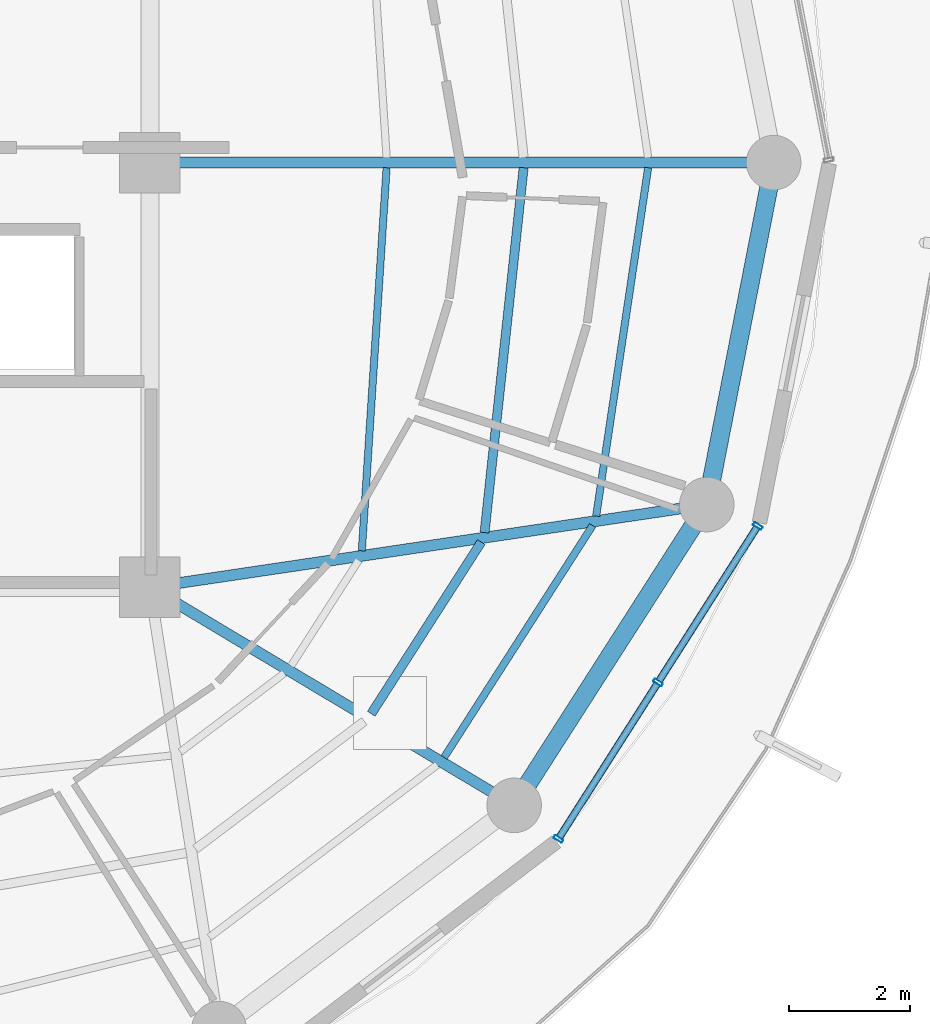
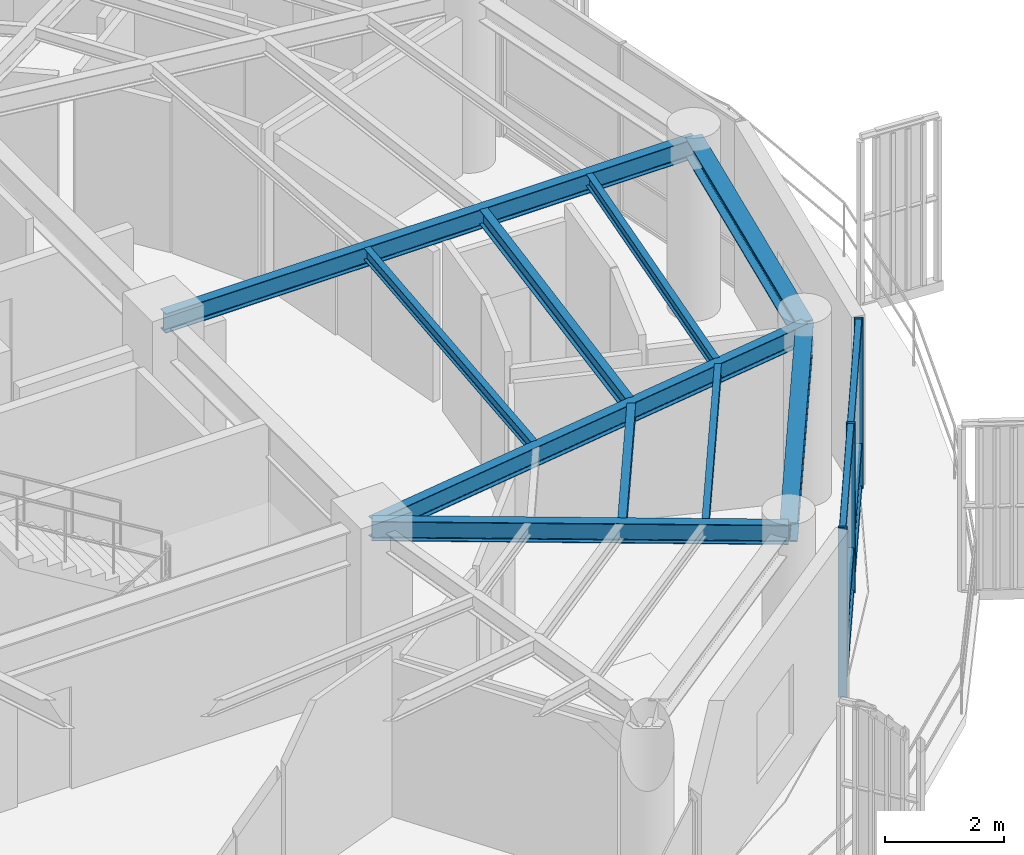
# One storey, part 9 of 22: 10 beams, 9 members, 1 element without a shape of its own.
"""IFC4 building model written with IfcOpenShell, lengths in metres."""

from ifc_helpers import new_model, si_unit, direction, frame, origin, origin_2d, place, context, subcontext, project, spatial, hollow_rectangle, i_section, extrude, material, layer, layer_set, material_profile, profile_set, type_object, element, aggregate, save


model = new_model("IFC4")

# Units and contexts
model_context = context("Model", 3, precision=1e-05, world=origin(), true_north=direction((0.0, 1.0)))
body_context = subcontext(model_context, "Body", "Model", "MODEL_VIEW")
ifc_project = project(units=[si_unit("LENGTHUNIT", "METRE"), si_unit("AREAUNIT", "SQUARE_METRE"), si_unit("VOLUMEUNIT", "CUBIC_METRE"), si_unit("PLANEANGLEUNIT", "RADIAN"), si_unit("MASSUNIT", "GRAM", prefix="KILO")], contexts=[model_context])

# Site, building, storey
site_placement = place(None, origin())
site = spatial("IfcSite", under=ifc_project, at=site_placement, CompositionType="ELEMENT")
building_placement = place(site_placement, origin())
building = spatial("IfcBuilding", under=site, at=building_placement, Name="Kelanora Arch Commons", CompositionType="ELEMENT")
storey_placement = place(building_placement, frame((0.0, 0.0, 263.699951171875)))
storey = spatial("IfcBuildingStorey", under=building, at=storey_placement, Name="L67", CompositionType="ELEMENT", Elevation=263.699951171875)

# Beams
ifc_material_1 = material(Name="Steel S355", Category="steel")
ifc_material_profile_1 = material_profile(ifc_material_1, i_section(OverallWidth=0.14990234375, OverallDepth=0.300048828125, WebThickness=0.007080078125, FlangeThickness=0.0107421875, FilletRadius=0.014892578125, at=origin_2d()), Name="IPE300")
ifc_profile_set_1 = profile_set([ifc_material_profile_1], Name="Steel S355")
beam_type_1 = type_object("IfcBeamType", Name="BM-JST-01", PredefinedType="JOIST", material=ifc_profile_set_1)
beam_1_placement = place(storey_placement, frame((85.647705078125, 48.915771484375, 3.340087890625), z_axis=(0.539321586177, 0.842099891155, 0.0), x_axis=(-0.842099891155, 0.539321586177, 0.0)))
element("IfcBeam", 1, at=beam_1_placement, inside=storey, type_object=beam_type_1, Name="Secondary Chord Joist BJB-32 L67", PredefinedType="JOIST", context=body_context, shape_type="SweptSolid", body=[
    extrude(i_section(OverallWidth=0.14990234375, OverallDepth=0.300048828125, WebThickness=0.007080078125, FlangeThickness=0.0107421875, FilletRadius=0.014892578125, at=origin_2d()), origin(), (0.0, 0.0, 1.0), 3.361572265625),
])
beam_2_placement = place(storey_placement, frame((87.515625, 51.902587890625, 3.340087890625), z_axis=(0.106380594087, 0.994325484538, 0.0), x_axis=(-0.994325484538, 0.106380594087, 0.0)))
element("IfcBeam", 2, at=beam_2_placement, inside=storey, type_object=beam_type_1, Name="Secondary Chord Joist BJB-34 L67", PredefinedType="JOIST", context=body_context, shape_type="SweptSolid", body=[
    extrude(i_section(OverallWidth=0.14990234375, OverallDepth=0.300048828125, WebThickness=0.007080078125, FlangeThickness=0.0107421875, FilletRadius=0.014892578125, at=origin_2d()), origin(), (0.0, 0.0, 1.0), 6.04736328125),
])
ifc_material_profile_2 = material_profile(ifc_material_1, i_section(OverallWidth=0.1201171875, OverallDepth=0.239990234375, WebThickness=0.006103515625, FlangeThickness=0.009765625, FilletRadius=0.014892578125, at=origin_2d()), Name="IPE240")
ifc_profile_set_2 = profile_set([ifc_material_profile_2], Name="Steel S355")
beam_type_2 = type_object("IfcBeamType", Name="BM-JST-02", PredefinedType="JOIST", material=ifc_profile_set_2)
beam_3_placement = place(storey_placement, frame((86.848388671875, 48.197021484375, 3.3701171875), z_axis=(0.539288735289, 0.842120929552, 0.0), x_axis=(-0.842120929552, 0.539288735289, 0.0)))
element("IfcBeam", 3, at=beam_3_placement, inside=storey, type_object=beam_type_2, Name="Secondary Chord Joist BJC-32 L67", PredefinedType="JOIST", context=body_context, shape_type="SweptSolid", body=[
    extrude(i_section(OverallWidth=0.1201171875, OverallDepth=0.239990234375, WebThickness=0.006103515625, FlangeThickness=0.009765625, FilletRadius=0.014892578125, at=origin_2d()), origin(), (0.0, 0.0, 1.0), 4.538818359375),
])
beam_4_placement = place(storey_placement, frame((85.492919921875, 51.60302734375, 3.3701171875), z_axis=(0.064495107978, 0.99791802321, 0.0), x_axis=(-0.99791802321, 0.064495107978, 0.0)))
element("IfcBeam", 4, at=beam_4_placement, inside=storey, type_object=beam_type_2, Name="Secondary Chord Joist BJA-34 L67", PredefinedType="JOIST", context=body_context, shape_type="SweptSolid", body=[
    extrude(i_section(OverallWidth=0.1201171875, OverallDepth=0.239990234375, WebThickness=0.006103515625, FlangeThickness=0.009765625, FilletRadius=0.014892578125, at=origin_2d()), origin(), (0.0, 0.0, 1.0), 6.325439453125),
])
beam_5_placement = place(storey_placement, frame((89.3544921875, 52.1748046875, 3.3701171875), z_axis=(0.14762470282, 0.989043450571, 0.0), x_axis=(-0.989043450571, 0.14762470282, 0.0)))
element("IfcBeam", 5, at=beam_5_placement, inside=storey, type_object=beam_type_2, Name="Secondary Chord Joist BJC-34 L67", PredefinedType="JOIST", context=body_context, shape_type="SweptSolid", body=[
    extrude(i_section(OverallWidth=0.1201171875, OverallDepth=0.239990234375, WebThickness=0.006103515625, FlangeThickness=0.009765625, FilletRadius=0.014892578125, at=origin_2d()), origin(), (0.0, 0.0, 1.0), 5.804931640625),
])
ifc_material_profile_3 = material_profile(ifc_material_1, i_section(OverallWidth=0.179931640625, OverallDepth=0.39990234375, WebThickness=0.008544921875, FlangeThickness=0.013427734375, FilletRadius=0.02099609375, at=origin_2d()), Name="IPE400")
ifc_profile_set_3 = profile_set([ifc_material_profile_3], Name="Steel S355")
beam_type_3 = type_object("IfcBeamType", Name="BM-RAD-Z5", PredefinedType="BEAM", material=ifc_profile_set_3)
beam_6_placement = place(storey_placement, frame((82.0, 58.0, 3.2900390625), z_axis=(1.0, 0.0, 0.0), x_axis=(0.0, 1.0, 0.0)))
element("IfcBeam", 6, at=beam_6_placement, inside=storey, type_object=beam_type_3, Name="Radial Floor Girder BR-00 L67", PredefinedType="BEAM", context=body_context, shape_type="SweptSolid", body=[
    extrude(i_section(OverallWidth=0.179931640625, OverallDepth=0.39990234375, WebThickness=0.008544921875, FlangeThickness=0.013427734375, FilletRadius=0.02099609375, at=origin_2d()), origin(), (0.0, 0.0, 1.0), 10.280029296875),
])
beam_7_placement = place(storey_placement, frame((82.0, 51.0, 3.2900390625), z_axis=(0.858062005744, -0.513546097541, 0.0), x_axis=(0.513546097541, 0.858062005744, 0.0)))
element("IfcBeam", 7, at=beam_7_placement, inside=storey, type_object=beam_type_3, Name="Radial Floor Girder BR-32 L67", PredefinedType="BEAM", context=body_context, shape_type="SweptSolid", body=[
    extrude(i_section(OverallWidth=0.179931640625, OverallDepth=0.39990234375, WebThickness=0.008544921875, FlangeThickness=0.013427734375, FilletRadius=0.02099609375, at=origin_2d()), origin(), (0.0, 0.0, 1.0), 6.99658203125),
])
beam_8_placement = place(storey_placement, frame((82.0, 51.0, 3.2900390625), z_axis=(0.989142485564, 0.146959665395, 0.0), x_axis=(-0.146959665395, 0.989142485564, 0.0)))
element("IfcBeam", 8, at=beam_8_placement, inside=storey, type_object=beam_type_3, Name="Radial Floor Girder BR-34 L67", PredefinedType="BEAM", context=body_context, shape_type="SweptSolid", body=[
    extrude(i_section(OverallWidth=0.179931640625, OverallDepth=0.39990234375, WebThickness=0.008544921875, FlangeThickness=0.013427734375, FilletRadius=0.02099609375, at=origin_2d()), origin(), (0.0, 0.0, 1.0), 9.2783203125),
])
ifc_material_profile_4 = material_profile(ifc_material_1, i_section(OverallWidth=0.300048828125, OverallDepth=0.39990234375, WebThickness=0.013427734375, FlangeThickness=0.02392578125, FilletRadius=0.027099609375, at=origin_2d()), Name="HEB400")
ifc_profile_set_4 = profile_set([ifc_material_profile_4], Name="Steel S355")
beam_type_4 = type_object("IfcBeamType", Name="BM-SPN-Z4", PredefinedType="SPANDREL", material=ifc_profile_set_4)
beam_9_placement = place(storey_placement, frame((88.00341796875, 47.406982421875, 3.2900390625), z_axis=(0.539280851353, 0.842125978322, 0.0), x_axis=(-0.842125978322, 0.539280851353, 0.0)))
element("IfcBeam", 9, at=beam_9_placement, inside=storey, type_object=beam_type_4, Name="Perimeter Spandrel Beam BS-32 L67", PredefinedType="SPANDREL", context=body_context, shape_type="SweptSolid", body=[
    extrude(i_section(OverallWidth=0.300048828125, OverallDepth=0.39990234375, WebThickness=0.013427734375, FlangeThickness=0.02392578125, FilletRadius=0.027099609375, at=origin_2d()), origin(), (0.0, 0.0, 1.0), 5.8857421875),
])
beam_10_placement = place(storey_placement, frame((91.177490234375, 52.363525390625, 3.2900390625), z_axis=(0.191969774604, 0.981400838413, 0.0), x_axis=(-0.981400838413, 0.191969774604, 0.0)))
element("IfcBeam", 10, at=beam_10_placement, inside=storey, type_object=beam_type_4, Name="Perimeter Spandrel Beam BS-34 L67", PredefinedType="SPANDREL", context=body_context, shape_type="SweptSolid", body=[
    extrude(i_section(OverallWidth=0.300048828125, OverallDepth=0.39990234375, WebThickness=0.013427734375, FlangeThickness=0.02392578125, FilletRadius=0.027099609375, at=origin_2d()), origin(), (0.0, 0.0, 1.0), 5.743408203125),
])

# Curtain wall, members
ifc_material_2 = material(Name="Terracotta ceramic-fritted low-E glass and aluminium", Category="masonry")
ifc_layer = layer(ifc_material_2, 0.18994140625)
ifc_layer_set = layer_set([ifc_layer], Name="Terracotta ceramic-fritted low-E glass and aluminium")
curtain_wall_type = type_object("IfcCurtainWallType", Name="CW-SYS-03", PredefinedType="NOTDEFINED", material=ifc_layer_set)
curtain_wall_placement = place(storey_placement, origin())
curtain_wall = element("IfcCurtainWall", 11, at=curtain_wall_placement, inside=storey, type_object=curtain_wall_type, Name="Unitised Curtain Wall L67-B16", PredefinedType="NOTDEFINED")
ifc_material_3 = material(Name="Powder-coated aluminium terracotta", Category="masonry")
ifc_material_profile_5 = material_profile(ifc_material_3, hollow_rectangle(XDim=0.159912109375, YDim=0.06005859375, WallThickness=0.0048828125, InnerFilletRadius=0.0048828125, OuterFilletRadius=0.010009765625, at=origin_2d()), Name="CWM160x60")
ifc_profile_set_5 = profile_set([ifc_material_profile_5], Name="Powder-coated aluminium terracotta")
member_type_1 = type_object("IfcMemberType", Name="CWM-STD", PredefinedType="MULLION", material=ifc_profile_set_5)
member_1_placement = place(storey_placement, frame((88.732421875, 46.853515625, 0.0), z_axis=(0.0, 0.0, 1.0), x_axis=(-0.843391314545, 0.537299814397, 0.0)))
member_1 = element("IfcMember", 12, at=member_1_placement, type_object=member_type_1, Name="CW-03 mullion 1", PredefinedType="MULLION", context=body_context, shape_type="SweptSolid", body=[
    extrude(hollow_rectangle(XDim=0.159912109375, YDim=0.06005859375, WallThickness=0.0048828125, InnerFilletRadius=0.0048828125, OuterFilletRadius=0.010009765625, at=origin_2d()), origin(), (0.0, 0.0, 1.0), 3.47509765625),
])
member_2_placement = place(storey_placement, frame((90.375, 49.43212890625, 0.0), z_axis=(0.0, 0.0, 1.0), x_axis=(-0.843391314545, 0.537299814397, 0.0)))
member_2 = element("IfcMember", 13, at=member_2_placement, type_object=member_type_1, Name="CW-03 mullion 2", PredefinedType="MULLION", context=body_context, shape_type="SweptSolid", body=[
    extrude(hollow_rectangle(XDim=0.159912109375, YDim=0.06005859375, WallThickness=0.0048828125, InnerFilletRadius=0.0048828125, OuterFilletRadius=0.010009765625, at=origin_2d()), origin(), (0.0, 0.0, 1.0), 3.47509765625),
])
member_3_placement = place(storey_placement, frame((92.017822265625, 52.0107421875, 0.0), z_axis=(0.0, 0.0, 1.0), x_axis=(-0.843391314545, 0.537299814397, 0.0)))
member_3 = element("IfcMember", 14, at=member_3_placement, type_object=member_type_1, Name="CW-03 mullion 3", PredefinedType="MULLION", context=body_context, shape_type="SweptSolid", body=[
    extrude(hollow_rectangle(XDim=0.159912109375, YDim=0.06005859375, WallThickness=0.0048828125, InnerFilletRadius=0.0048828125, OuterFilletRadius=0.010009765625, at=origin_2d()), origin(), (0.0, 0.0, 1.0), 3.47509765625),
])
ifc_material_profile_6 = material_profile(ifc_material_3, hollow_rectangle(XDim=0.1201171875, YDim=0.06005859375, WallThickness=0.0048828125, InnerFilletRadius=0.0048828125, OuterFilletRadius=0.010009765625, at=origin_2d()), Name="CWT120x60")
ifc_profile_set_6 = profile_set([ifc_material_profile_6], Name="Powder-coated aluminium terracotta")
member_type_2 = type_object("IfcMemberType", Name="CWT-STD", PredefinedType="USERDEFINED", material=ifc_profile_set_6)
member_4_placement = place(storey_placement, frame((88.74853515625, 46.87890625, 0.030029296875), z_axis=(0.537286543791, 0.84339976871, 0.0), x_axis=(-0.84339976871, 0.537286543791, 0.0)))
member_4 = element("IfcMember", 15, at=member_4_placement, type_object=member_type_2, Name="CW-03 transom 1.1", ObjectType="TRANSOM", PredefinedType="USERDEFINED", context=body_context, shape_type="SweptSolid", body=[
    extrude(hollow_rectangle(XDim=0.1201171875, YDim=0.06005859375, WallThickness=0.0048828125, InnerFilletRadius=0.0048828125, OuterFilletRadius=0.010009765625, at=origin_2d()), origin(), (0.0, 0.0, 1.0), 2.997314453125),
])
member_5_placement = place(storey_placement, frame((88.74853515625, 46.87890625, 0.900146484375), z_axis=(0.537286543791, 0.84339976871, 0.0), x_axis=(-0.84339976871, 0.537286543791, 0.0)))
member_5 = element("IfcMember", 16, at=member_5_placement, type_object=member_type_2, Name="CW-03 transom 1.2", ObjectType="TRANSOM", PredefinedType="USERDEFINED", context=body_context, shape_type="SweptSolid", body=[
    extrude(hollow_rectangle(XDim=0.1201171875, YDim=0.06005859375, WallThickness=0.0048828125, InnerFilletRadius=0.0048828125, OuterFilletRadius=0.010009765625, at=origin_2d()), origin(), (0.0, 0.0, 1.0), 2.997314453125),
])
member_6_placement = place(storey_placement, frame((88.74853515625, 46.87890625, 3.445068359375), z_axis=(0.537286543791, 0.84339976871, 0.0), x_axis=(-0.84339976871, 0.537286543791, 0.0)))
member_6 = element("IfcMember", 17, at=member_6_placement, type_object=member_type_2, Name="CW-03 transom 1.3", ObjectType="TRANSOM", PredefinedType="USERDEFINED", context=body_context, shape_type="SweptSolid", body=[
    extrude(hollow_rectangle(XDim=0.1201171875, YDim=0.06005859375, WallThickness=0.0048828125, InnerFilletRadius=0.0048828125, OuterFilletRadius=0.010009765625, at=origin_2d()), origin(), (0.0, 0.0, 1.0), 2.997314453125),
])
member_7_placement = place(storey_placement, frame((90.39111328125, 49.45751953125, 0.030029296875), z_axis=(0.537307571338, 0.843386372775, 0.0), x_axis=(-0.843386372775, 0.537307571338, 0.0)))
member_7 = element("IfcMember", 18, at=member_7_placement, type_object=member_type_2, Name="CW-03 transom 2.1", ObjectType="TRANSOM", PredefinedType="USERDEFINED", context=body_context, shape_type="SweptSolid", body=[
    extrude(hollow_rectangle(XDim=0.1201171875, YDim=0.06005859375, WallThickness=0.0048828125, InnerFilletRadius=0.0048828125, OuterFilletRadius=0.010009765625, at=origin_2d()), origin(), (0.0, 0.0, 1.0), 2.99755859375),
])
member_8_placement = place(storey_placement, frame((90.39111328125, 49.45751953125, 0.900146484375), z_axis=(0.537307571338, 0.843386372775, 0.0), x_axis=(-0.843386372775, 0.537307571338, 0.0)))
member_8 = element("IfcMember", 19, at=member_8_placement, type_object=member_type_2, Name="CW-03 transom 2.2", ObjectType="TRANSOM", PredefinedType="USERDEFINED", context=body_context, shape_type="SweptSolid", body=[
    extrude(hollow_rectangle(XDim=0.1201171875, YDim=0.06005859375, WallThickness=0.0048828125, InnerFilletRadius=0.0048828125, OuterFilletRadius=0.010009765625, at=origin_2d()), origin(), (0.0, 0.0, 1.0), 2.99755859375),
])
member_9_placement = place(storey_placement, frame((90.39111328125, 49.45751953125, 3.445068359375), z_axis=(0.537307571338, 0.843386372775, 0.0), x_axis=(-0.843386372775, 0.537307571338, 0.0)))
member_9 = element("IfcMember", 20, at=member_9_placement, type_object=member_type_2, Name="CW-03 transom 2.3", ObjectType="TRANSOM", PredefinedType="USERDEFINED", context=body_context, shape_type="SweptSolid", body=[
    extrude(hollow_rectangle(XDim=0.1201171875, YDim=0.06005859375, WallThickness=0.0048828125, InnerFilletRadius=0.0048828125, OuterFilletRadius=0.010009765625, at=origin_2d()), origin(), (0.0, 0.0, 1.0), 2.99755859375),
])
aggregate(curtain_wall, [member_1, member_2, member_3, member_4, member_5, member_6, member_7, member_8, member_9])

save(model, "model.ifc")
